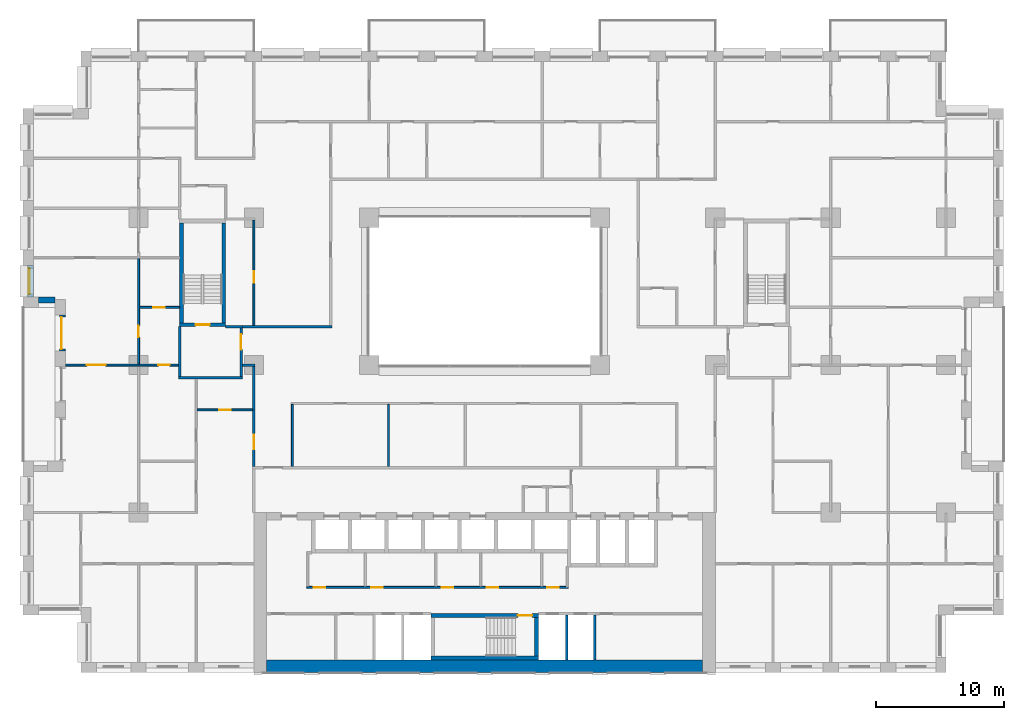
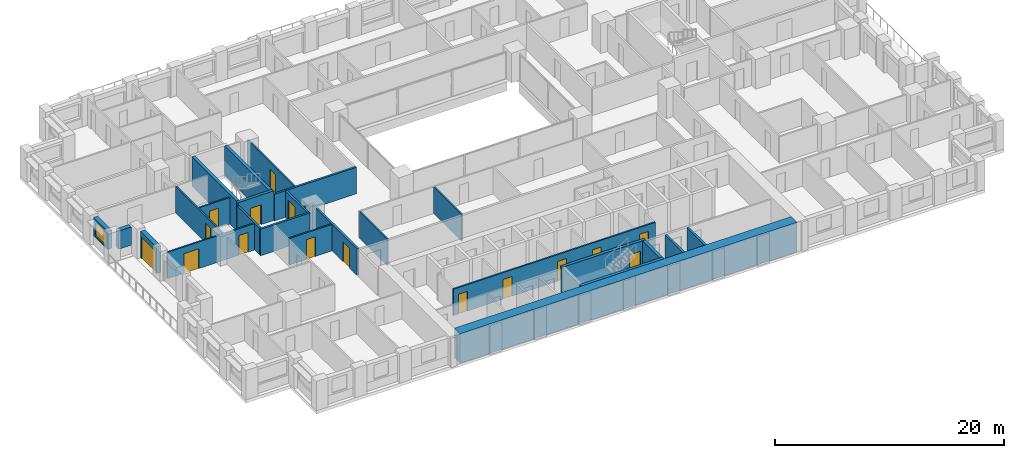
# One storey, part 10 of 19: 27 walls, 16 doors, 1 window, 17 openings.
"""IFC4 building model written with IfcOpenShell, lengths in metres."""

from ifc_helpers import new_model, si_unit, direction, frame, frame_2d, origin, place, context, subcontext, project, spatial, rectangle, extrude, material, layer, layer_set, type_object, element, fill, save


model = new_model("IFC4")

# Units and contexts
model_context = context("Model", 3, precision=1e-05, world=origin(), true_north=direction((0.0, 1.0)))
body_context = subcontext(model_context, "Body", "Model", "MODEL_VIEW")
ifc_project = project(units=[si_unit("LENGTHUNIT", "METRE"), si_unit("AREAUNIT", "SQUARE_METRE"), si_unit("VOLUMEUNIT", "CUBIC_METRE"), si_unit("PLANEANGLEUNIT", "RADIAN"), si_unit("MASSUNIT", "GRAM", prefix="KILO")], contexts=[model_context])

# Site, building, storey
site_placement = place(None, origin())
site = spatial("IfcSite", under=ifc_project, at=site_placement, CompositionType="ELEMENT")
building_placement = place(site_placement, origin())
building = spatial("IfcBuilding", under=site, at=building_placement, Name="Brigalow Station Residences", CompositionType="ELEMENT")
storey_placement = place(building_placement, frame((0.0, 0.0, 28.949951171875)))
storey = spatial("IfcBuildingStorey", under=building, at=storey_placement, Name="L07", CompositionType="ELEMENT", Elevation=28.949951171875)

# Wall, opening, window
ifc_material_1 = material(Name="Clay brick masonry", Category="masonry")
ifc_layer_1 = layer(ifc_material_1, 0.449951171875)
ifc_layer_set_1 = layer_set([ifc_layer_1], Name="BRICK INFILL WALL 450")
wall_type_1 = type_object("IfcWallType", Name="BRICK INFILL WALL 450", PredefinedType="SOLIDWALL", material=ifc_layer_set_1)
wall_1_placement = place(storey_placement, frame((0.574951171875, 31.77490234375, 0.900146484375), z_axis=(0.0, 0.0, 1.0), x_axis=(0.0, -1.0, 0.0)))
wall_1 = element("IfcWall", 1, at=wall_1_placement, inside=storey, type_object=wall_type_1, Name="L07/ewall/W-L07-45", PredefinedType="SOLIDWALL", context=body_context, shape_type="SweptSolid", body=[
    extrude(rectangle(XDim=2.474853515625, YDim=0.449951171875, at=frame_2d((1.2373046875, 0.0))), origin(), (0.0, 0.0, 1.0), 1.929931640625),
])
opening_1_placement = place(wall_1_placement, frame((0.237548828125, 0.0, 0.14990234375)))
opening_1 = element("IfcOpeningElement", 2, at=opening_1_placement, cuts=wall_1, Name="Opening WT-7", PredefinedType="OPENING", context=body_context, shape_type="SweptSolid", body=[
    extrude(rectangle(XDim=2.0, YDim=1.5, at=frame_2d((1.0, 0.75))), frame((0.0, 0.23486328125, 0.0), z_axis=(0.0, -1.0, 0.0), x_axis=(1.0, 0.0, 0.0)), (0.0, 0.0, 1.0), 0.469970703125),
])
ifc_material_2 = material(Name="Anodised aluminium frame with double glazing", Category="aluminium")
window_type = type_object("IfcWindowType", Name="WINDOW 2000x1500", PartitioningType="SINGLE_PANEL", PredefinedType="WINDOW", material=ifc_material_2)
window_placement = place(opening_1_placement, origin())
window = element("IfcWindow", 3, at=window_placement, inside=storey, type_object=window_type, Name="L07/window/W-L07-45", OverallHeight=1.5, OverallWidth=2.0, PartitioningType="SINGLE_PANEL", PredefinedType="WINDOW", context=body_context, shape_type="SweptSolid", body=[
    extrude(rectangle(XDim=2.0, YDim=1.5, at=frame_2d((1.0, 0.75))), frame((0.0, -0.06494140625, 0.0), z_axis=(0.0, -1.0, 0.0), x_axis=(1.0, 0.0, 0.0)), (0.0, 0.0, 1.0), 0.06005859375),
])
fill(opening_1, window)

# Wall
wall_2_placement = place(storey_placement, frame((1.199951171875, 29.074951171875, 0.900146484375), z_axis=(0.0, 0.0, 1.0), x_axis=(1.0, 0.0, 0.0)))
element("IfcWall", 4, at=wall_2_placement, inside=storey, type_object=wall_type_1, Name="L07/ewall/W-L07-46", PredefinedType="SOLIDWALL", context=body_context, shape_type="SweptSolid", body=[
    extrude(rectangle(XDim=1.300048828125, YDim=0.449951171875, at=frame_2d((0.64990234375, 0.0))), origin(), (0.0, 0.0, 1.0), 1.929931640625),
])

# Wall, opening, door
wall_3_placement = place(storey_placement, frame((3.074951171875, 27.89990234375, 0.0), z_axis=(0.0, 0.0, 1.0), x_axis=(0.0, -1.0, 0.0)))
wall_3 = element("IfcWall", 5, at=wall_3_placement, inside=storey, type_object=wall_type_1, Name="L07/ewall/W-L07-47", PredefinedType="SOLIDWALL", context=body_context, shape_type="SweptSolid", body=[
    extrude(rectangle(XDim=2.7998046875, YDim=0.449951171875, at=frame_2d((1.39990234375, 0.0))), origin(), (0.0, 0.0, 1.0), 2.830078125),
])
opening_2_placement = place(wall_3_placement, frame((0.14990234375, 0.0, 0.0)))
opening_2 = element("IfcOpeningElement", 6, at=opening_2_placement, cuts=wall_3, Name="Opening D-B2500", PredefinedType="OPENING", context=body_context, shape_type="SweptSolid", body=[
    extrude(rectangle(XDim=2.5, YDim=2.300048828125, at=frame_2d((1.25, 1.14990234375))), frame((0.0, 0.23486328125, 0.0), z_axis=(0.0, -1.0, 0.0), x_axis=(1.0, 0.0, 0.0)), (0.0, 0.0, 1.0), 0.469970703125),
])
ifc_material_3 = material(Name="Anodised aluminium frame with double glazing", Category="aluminium")
door_type_1 = type_object("IfcDoorType", Name="BALCONY SLIDING DOOR 2500x2300", OperationType="SLIDING_TO_LEFT", PredefinedType="DOOR", material=ifc_material_3)
door_1_placement = place(opening_2_placement, origin())
door_1 = element("IfcDoor", 7, at=door_1_placement, inside=storey, type_object=door_type_1, Name="L07/balcony-door/W-L07-47", OperationType="SLIDING_TO_LEFT", OverallHeight=2.300048828125, OverallWidth=2.5, PredefinedType="DOOR", context=body_context, shape_type="SweptSolid", body=[
    extrude(rectangle(XDim=2.5, YDim=2.300048828125, at=frame_2d((1.25, 1.14990234375))), frame((0.0, -0.06982421875, 0.0), z_axis=(0.0, -1.0, 0.0), x_axis=(1.0, 0.0, 0.0)), (0.0, 0.0, 1.0), 0.050048828125),
])
fill(opening_2, door_1)

# Walls
ifc_material_4 = material(Name="Concrete C80", Category="concrete")
ifc_layer_2 = layer(ifc_material_4, 1.0)
ifc_layer_set_2 = layer_set([ifc_layer_2], Name="CORE SHEAR WALL 1000 C80")
wall_type_2 = type_object("IfcWallType", Name="CORE SHEAR WALL 1000 C80", PredefinedType="SHEAR", material=ifc_layer_set_2)
wall_4_placement = place(storey_placement, frame((19.0, 0.5, 0.0), z_axis=(0.0, 0.0, 1.0), x_axis=(1.0, 0.0, 0.0)))
element("IfcWall", 8, at=wall_4_placement, inside=storey, type_object=wall_type_2, Name="CORE WALL OUT-S L07", PredefinedType="SHEAR", context=body_context, shape_type="SweptSolid", body=[
    extrude(rectangle(XDim=34.0, YDim=1.0, at=frame_2d((17.0, 0.0))), origin(), (0.0, 0.0, 1.0), 3.150146484375),
])
ifc_material_5 = material(Name="Concrete C80", Category="concrete")
ifc_layer_3 = layer(ifc_material_5, 0.300048828125)
ifc_layer_set_3 = layer_set([ifc_layer_3], Name="CORE SHEAR WALL 300 C80")
wall_type_3 = type_object("IfcWallType", Name="CORE SHEAR WALL 300 C80", PredefinedType="SHEAR", material=ifc_layer_set_3)
wall_5_placement = place(storey_placement, frame((31.800048828125, 1.14990234375, 0.0), z_axis=(0.0, 0.0, 1.0), x_axis=(1.0, 0.0, 0.0)))
element("IfcWall", 9, at=wall_5_placement, inside=storey, type_object=wall_type_3, Name="CORE WALL ST-S2-S L07", PredefinedType="SHEAR", context=body_context, shape_type="SweptSolid", body=[
    extrude(rectangle(XDim=8.39990234375, YDim=0.300048828125, at=frame_2d((4.199951171875, 0.0))), origin(), (0.0, 0.0, 1.0), 3.150146484375),
])

# Wall, opening, door
wall_6_placement = place(storey_placement, frame((31.800048828125, 4.449951171875, 0.0), z_axis=(0.0, 0.0, 1.0), x_axis=(1.0, 0.0, 0.0)))
wall_6 = element("IfcWall", 10, at=wall_6_placement, inside=storey, type_object=wall_type_3, Name="CORE WALL ST-S2-N L07", PredefinedType="SHEAR", context=body_context, shape_type="SweptSolid", body=[
    extrude(rectangle(XDim=8.39990234375, YDim=0.300048828125, at=frame_2d((4.199951171875, 0.0))), origin(), (0.0, 0.0, 1.0), 3.150146484375),
])
opening_3_placement = place(wall_6_placement, frame((6.800048828125, 0.0, 0.0)))
opening_3 = element("IfcOpeningElement", 11, at=opening_3_placement, cuts=wall_6, Name="Opening D-5001", PredefinedType="OPENING", context=body_context, shape_type="SweptSolid", body=[
    extrude(rectangle(XDim=1.10009765625, YDim=2.10009765625, at=frame_2d((0.550048828125, 1.050048828125))), frame((0.0, 0.16015625, 0.0), z_axis=(0.0, -1.0, 0.0), x_axis=(1.0, 0.0, 0.0)), (0.0, 0.0, 1.0), 0.320068359375),
])
ifc_material_6 = material(Name="Steel fire door leaf in steel frame", Category="steel")
door_type_2 = type_object("IfcDoorType", Name="STAIR DOOR 1100 x 2100 FD60S", OperationType="SINGLE_SWING_LEFT", PredefinedType="DOOR", material=ifc_material_6)
door_2_placement = place(opening_3_placement, frame((1.10009765625, 0.0, 0.0), z_axis=(0.0, 0.0, 1.0), x_axis=(-1.0, 0.0, 0.0)))
door_2 = element("IfcDoor", 12, at=door_2_placement, inside=storey, type_object=door_type_2, Name="D-5001", OperationType="SINGLE_SWING_LEFT", OverallHeight=2.10009765625, OverallWidth=1.10009765625, PredefinedType="DOOR", context=body_context, shape_type="SweptSolid", body=[
    extrude(rectangle(XDim=1.10009765625, YDim=2.10009765625, at=frame_2d((0.550048828125, 1.050048828125))), frame((0.0, 0.02490234375, 0.0), z_axis=(0.0, -1.0, 0.0), x_axis=(1.0, 0.0, 0.0)), (0.0, 0.0, 1.0), 0.050048828125),
])
fill(opening_3, door_2)

# Wall
wall_7_placement = place(storey_placement, frame((40.050048828125, 1.300048828125, 0.0), z_axis=(0.0, 0.0, 1.0), x_axis=(0.0, 1.0, 0.0)))
element("IfcWall", 13, at=wall_7_placement, inside=storey, type_object=wall_type_3, Name="CORE WALL ST-S2-E L07", PredefinedType="SHEAR", context=body_context, shape_type="SweptSolid", body=[
    extrude(rectangle(XDim=3.0, YDim=0.300048828125, at=frame_2d((1.5, 0.0))), origin(), (0.0, 0.0, 1.0), 3.150146484375),
])

# Wall, opening, door
wall_8_placement = place(storey_placement, frame((12.199951171875, 27.14990234375, 0.0), z_axis=(0.0, 0.0, 1.0), x_axis=(1.0, 0.0, 0.0)))
wall_8 = element("IfcWall", 14, at=wall_8_placement, inside=storey, type_object=wall_type_3, Name="CORE WALL ST-S1-S L07", PredefinedType="SHEAR", context=body_context, shape_type="SweptSolid", body=[
    extrude(rectangle(XDim=3.60009765625, YDim=0.300048828125, at=frame_2d((1.800048828125, 0.0))), origin(), (0.0, 0.0, 1.0), 3.150146484375),
])
opening_4_placement = place(wall_8_placement, frame((1.25, 0.0, 0.0)))
opening_4 = element("IfcOpeningElement", 15, at=opening_4_placement, cuts=wall_8, Name="Opening D-5015", PredefinedType="OPENING", context=body_context, shape_type="SweptSolid", body=[
    extrude(rectangle(XDim=1.10009765625, YDim=2.10009765625, at=frame_2d((0.550048828125, 1.050048828125))), frame((0.0, 0.16015625, 0.0), z_axis=(0.0, -1.0, 0.0), x_axis=(1.0, 0.0, 0.0)), (0.0, 0.0, 1.0), 0.320068359375),
])
door_3_placement = place(opening_4_placement, origin())
door_3 = element("IfcDoor", 16, at=door_3_placement, inside=storey, type_object=door_type_2, Name="D-5015", OperationType="SINGLE_SWING_LEFT", OverallHeight=2.10009765625, OverallWidth=1.10009765625, PredefinedType="DOOR", context=body_context, shape_type="SweptSolid", body=[
    extrude(rectangle(XDim=1.10009765625, YDim=2.10009765625, at=frame_2d((0.550048828125, 1.050048828125))), frame((0.0, 0.02490234375, 0.0), z_axis=(0.0, -1.0, 0.0), x_axis=(1.0, 0.0, 0.0)), (0.0, 0.0, 1.0), 0.050048828125),
])
fill(opening_4, door_3)

# Walls
for number, where, z_axis, x_axis, name in (
    (17, (12.35009765625, 27.300048828125, 0.0), (0.0, 0.0, 1.0), (0.0, 1.0, 0.0), "CORE WALL ST-S1-W L07"),
    (18, (15.64990234375, 27.300048828125, 0.0), (0.0, 0.0, 1.0), (0.0, 1.0, 0.0), "CORE WALL ST-S1-E L07"),
):
    element("IfcWall", number, at=place(storey_placement, frame(where, z_axis=z_axis, x_axis=x_axis)), inside=storey, type_object=wall_type_3, Name=name, PredefinedType="SHEAR", context=body_context, shape_type="SweptSolid", body=[
        extrude(rectangle(XDim=7.800048828125, YDim=0.300048828125, at=frame_2d((3.89990234375, 0.0))), origin(), (0.0, 0.0, 1.0), 3.150146484375),
    ])
ifc_material_7 = material(Name="Concrete blockwork", Category="masonry")
ifc_layer_4 = layer(ifc_material_7, 0.199951171875)
ifc_layer_set_4 = layer_set([ifc_layer_4], Name="FIRE RATED CORE PARTITION 200")
wall_type_4 = type_object("IfcWallType", Name="FIRE RATED CORE PARTITION 200", PredefinedType="PARTITIONING", material=ifc_layer_set_4)
wall_9_placement = place(storey_placement, frame((12.10009765625, 23.0, 0.0), z_axis=(0.0, 0.0, 1.0), x_axis=(1.0, 0.0, 0.0)))
element("IfcWall", 19, at=wall_9_placement, inside=storey, type_object=wall_type_4, Name="PW-5023", PredefinedType="PARTITIONING", context=body_context, shape_type="SweptSolid", body=[
    extrude(rectangle(XDim=5.0, YDim=0.199951171875, at=frame_2d((2.5, 0.0))), origin(), (0.0, 0.0, 1.0), 2.830078125),
])
wall_10_placement = place(storey_placement, frame((15.800048828125, 27.0, 0.0), z_axis=(0.0, 0.0, 1.0), x_axis=(1.0, 0.0, 0.0)))
element("IfcWall", 20, at=wall_10_placement, inside=storey, type_object=wall_type_4, Name="PW-5025", PredefinedType="PARTITIONING", context=body_context, shape_type="SweptSolid", body=[
    extrude(rectangle(XDim=1.300048828125, YDim=0.199951171875, at=frame_2d((0.64990234375, 0.0))), origin(), (0.0, 0.0, 1.0), 2.830078125),
])
for number, where, z_axis, x_axis, name in (
    (21, (42.39990234375, 1.0, 0.0), (0.0, 0.0, 1.0), (0.0, 1.0, 0.0), "PW-5007"),
    (22, (44.60009765625, 1.0, 0.0), (0.0, 0.0, 1.0), (0.0, 1.0, 0.0), "PW-5008"),
):
    element("IfcWall", number, at=place(storey_placement, frame(where, z_axis=z_axis, x_axis=x_axis)), inside=storey, type_object=wall_type_4, Name=name, PredefinedType="PARTITIONING", context=body_context, shape_type="SweptSolid", body=[
        extrude(rectangle(XDim=3.5, YDim=0.199951171875, at=frame_2d((1.75, 0.0))), origin(), (0.0, 0.0, 1.0), 2.830078125),
    ])
wall_11_placement = place(storey_placement, frame((12.199951171875, 23.10009765625, 0.0), z_axis=(0.0, 0.0, 1.0), x_axis=(0.0, 1.0, 0.0)))
element("IfcWall", 23, at=wall_11_placement, inside=storey, type_object=wall_type_4, Name="PW-5034", PredefinedType="PARTITIONING", context=body_context, shape_type="SweptSolid", body=[
    extrude(rectangle(XDim=3.89990234375, YDim=0.199951171875, at=frame_2d((1.949951171875, 0.0))), origin(), (0.0, 0.0, 1.0), 2.830078125),
])

# Wall, opening, door
wall_12_placement = place(storey_placement, frame((17.0, 23.10009765625, 0.0), z_axis=(0.0, 0.0, 1.0), x_axis=(0.0, 1.0, 0.0)))
wall_12 = element("IfcWall", 24, at=wall_12_placement, inside=storey, type_object=wall_type_4, Name="PW-5035", PredefinedType="PARTITIONING", context=body_context, shape_type="SweptSolid", body=[
    extrude(rectangle(XDim=3.7998046875, YDim=0.199951171875, at=frame_2d((1.89990234375, 0.0))), origin(), (0.0, 0.0, 1.0), 2.830078125),
])
opening_5_placement = place(wall_12_placement, frame((2.10009765625, 0.0, 0.0)))
opening_5 = element("IfcOpeningElement", 25, at=opening_5_placement, cuts=wall_12, Name="Opening D-5016", PredefinedType="OPENING", context=body_context, shape_type="SweptSolid", body=[
    extrude(rectangle(XDim=1.199951171875, YDim=2.10009765625, at=frame_2d((0.60009765625, 1.050048828125))), frame((0.0, 0.10986328125, 0.0), z_axis=(0.0, -1.0, 0.0), x_axis=(1.0, 0.0, 0.0)), (0.0, 0.0, 1.0), 0.219970703125),
])
ifc_material_8 = material(Name="Steel fire door leaf in steel frame", Category="steel")
door_type_3 = type_object("IfcDoorType", Name="STAIR LOBBY DOOR 1200 x 2100 FD60S", OperationType="SINGLE_SWING_LEFT", PredefinedType="DOOR", material=ifc_material_8)
door_4_placement = place(opening_5_placement, origin())
door_4 = element("IfcDoor", 26, at=door_4_placement, inside=storey, type_object=door_type_3, Name="D-5016", OperationType="SINGLE_SWING_RIGHT", OverallHeight=2.10009765625, OverallWidth=1.199951171875, PredefinedType="DOOR", context=body_context, shape_type="SweptSolid", body=[
    extrude(rectangle(XDim=1.199951171875, YDim=2.10009765625, at=frame_2d((0.60009765625, 1.050048828125))), frame((0.0, 0.02490234375, 0.0), z_axis=(0.0, -1.0, 0.0), x_axis=(1.0, 0.0, 0.0)), (0.0, 0.0, 1.0), 0.050048828125),
])
fill(opening_5, door_4)

# Wall, openings, doors
ifc_material_9 = material(Name="Plasterboard on steel stud partition", Category="steel")
ifc_layer_5 = layer(ifc_material_9, 0.14990234375)
ifc_layer_set_5 = layer_set([ifc_layer_5], Name="FLAT PARTITION 150")
wall_type_5 = type_object("IfcWallType", Name="FLAT PARTITION 150", PredefinedType="PARTITIONING", material=ifc_layer_set_5)
wall_13_placement = place(storey_placement, frame((3.300048828125, 24.0, 0.0), z_axis=(0.0, 0.0, 1.0), x_axis=(1.0, 0.0, 0.0)))
wall_13 = element("IfcWall", 27, at=wall_13_placement, inside=storey, type_object=wall_type_5, Name="PW-1B02", PredefinedType="PARTITIONING", context=body_context, shape_type="SweptSolid", body=[
    extrude(rectangle(XDim=8.800048828125, YDim=0.14990234375, at=frame_2d((4.39990234375, 0.0))), origin(), (0.0, 0.0, 1.0), 2.830078125),
])
opening_6_placement = place(wall_13_placement, frame((1.64990234375, 0.0, 0.0)))
opening_6 = element("IfcOpeningElement", 28, at=opening_6_placement, cuts=wall_13, Name="Opening D-1B07", PredefinedType="OPENING", context=body_context, shape_type="SweptSolid", body=[
    extrude(rectangle(XDim=1.5, YDim=2.10009765625, at=frame_2d((0.75, 1.050048828125))), frame((0.0, 0.0849609375, 0.0), z_axis=(0.0, -1.0, 0.0), x_axis=(1.0, 0.0, 0.0)), (0.0, 0.0, 1.0), 0.169921875),
])
opening_7_placement = place(wall_13_placement, frame((7.22509765625, 0.0, 0.0)))
opening_7 = element("IfcOpeningElement", 29, at=opening_7_placement, cuts=wall_13, Name="Opening D-1B14", PredefinedType="OPENING", context=body_context, shape_type="SweptSolid", body=[
    extrude(rectangle(XDim=0.89990234375, YDim=2.10009765625, at=frame_2d((0.449951171875, 1.050048828125))), frame((0.0, 0.0849609375, 0.0), z_axis=(0.0, -1.0, 0.0), x_axis=(1.0, 0.0, 0.0)), (0.0, 0.0, 1.0), 0.169921875),
])
ifc_material_10 = material(Name="Solid-core timber door leaf", Category="wood")
door_type_4 = type_object("IfcDoorType", Name="INTERNAL DOOR 900 x 2100", OperationType="SINGLE_SWING_LEFT", PredefinedType="DOOR", material=ifc_material_10)
door_5_placement = place(opening_7_placement, origin())
door_5 = element("IfcDoor", 30, at=door_5_placement, inside=storey, type_object=door_type_4, Name="D-1B14", OperationType="SINGLE_SWING_RIGHT", OverallHeight=2.10009765625, OverallWidth=0.89990234375, PredefinedType="DOOR", context=body_context, shape_type="SweptSolid", body=[
    extrude(rectangle(XDim=0.89990234375, YDim=2.10009765625, at=frame_2d((0.449951171875, 1.050048828125))), frame((0.0, 0.02490234375, 0.0), z_axis=(0.0, -1.0, 0.0), x_axis=(1.0, 0.0, 0.0)), (0.0, 0.0, 1.0), 0.050048828125),
])
fill(opening_7, door_5)
ifc_material_11 = material(Name="Solid-core timber door leaf", Category="wood")
door_type_5 = type_object("IfcDoorType", Name="INTERNAL DOUBLE DOOR 1500 x 2100", OperationType="DOUBLE_DOOR_SINGLE_SWING", PredefinedType="DOOR", material=ifc_material_11)
door_6_placement = place(opening_6_placement, origin())
door_6 = element("IfcDoor", 31, at=door_6_placement, inside=storey, type_object=door_type_5, Name="D-1B07", OperationType="DOUBLE_DOOR_SINGLE_SWING", OverallHeight=2.10009765625, OverallWidth=1.5, PredefinedType="DOOR", context=body_context, shape_type="SweptSolid", body=[
    extrude(rectangle(XDim=1.5, YDim=2.10009765625, at=frame_2d((0.75, 1.050048828125))), frame((0.0, 0.02490234375, 0.0), z_axis=(0.0, -1.0, 0.0), x_axis=(1.0, 0.0, 0.0)), (0.0, 0.0, 1.0), 0.050048828125),
])
fill(opening_6, door_6)

# Wall, opening, door
wall_14_placement = place(storey_placement, frame((13.574951171875, 20.5, 0.0), z_axis=(0.0, 0.0, 1.0), x_axis=(1.0, 0.0, 0.0)))
wall_14 = element("IfcWall", 32, at=wall_14_placement, inside=storey, type_object=wall_type_5, Name="PW-1B14", PredefinedType="PARTITIONING", context=body_context, shape_type="SweptSolid", body=[
    extrude(rectangle(XDim=4.324951171875, YDim=0.14990234375, at=frame_2d((2.16259765625, 0.0))), origin(), (0.0, 0.0, 1.0), 2.830078125),
])
opening_8_placement = place(wall_14_placement, frame((1.72509765625, 0.0, 0.0)))
opening_8 = element("IfcOpeningElement", 33, at=opening_8_placement, cuts=wall_14, Name="Opening D-1B13", PredefinedType="OPENING", context=body_context, shape_type="SweptSolid", body=[
    extrude(rectangle(XDim=0.89990234375, YDim=2.10009765625, at=frame_2d((0.449951171875, 1.050048828125))), frame((0.0, 0.0849609375, 0.0), z_axis=(0.0, -1.0, 0.0), x_axis=(1.0, 0.0, 0.0)), (0.0, 0.0, 1.0), 0.169921875),
])
door_7_placement = place(opening_8_placement, origin())
door_7 = element("IfcDoor", 34, at=door_7_placement, inside=storey, type_object=door_type_4, Name="D-1B13", OperationType="SINGLE_SWING_RIGHT", OverallHeight=2.10009765625, OverallWidth=0.89990234375, PredefinedType="DOOR", context=body_context, shape_type="SweptSolid", body=[
    extrude(rectangle(XDim=0.89990234375, YDim=2.10009765625, at=frame_2d((0.449951171875, 1.050048828125))), frame((0.0, 0.02490234375, 0.0), z_axis=(0.0, -1.0, 0.0), x_axis=(1.0, 0.0, 0.0)), (0.0, 0.0, 1.0), 0.050048828125),
])
fill(opening_8, door_7)

wall_15_placement = place(storey_placement, frame((9.074951171875, 28.5, 0.0), z_axis=(0.0, 0.0, 1.0), x_axis=(1.0, 0.0, 0.0)))
wall_15 = element("IfcWall", 35, at=wall_15_placement, inside=storey, type_object=wall_type_5, Name="PW-1B19", PredefinedType="PARTITIONING", context=body_context, shape_type="SweptSolid", body=[
    extrude(rectangle(XDim=3.125, YDim=0.14990234375, at=frame_2d((1.5625, 0.0))), origin(), (0.0, 0.0, 1.0), 2.830078125),
])
opening_9_placement = place(wall_15_placement, frame((1.074951171875, 0.0, 0.0)))
opening_9 = element("IfcOpeningElement", 36, at=opening_9_placement, cuts=wall_15, Name="Opening D-1B15", PredefinedType="OPENING", context=body_context, shape_type="SweptSolid", body=[
    extrude(rectangle(XDim=0.89990234375, YDim=2.10009765625, at=frame_2d((0.449951171875, 1.050048828125))), frame((0.0, 0.0849609375, 0.0), z_axis=(0.0, -1.0, 0.0), x_axis=(1.0, 0.0, 0.0)), (0.0, 0.0, 1.0), 0.169921875),
])
door_8_placement = place(opening_9_placement, origin())
door_8 = element("IfcDoor", 37, at=door_8_placement, inside=storey, type_object=door_type_4, Name="D-1B15", OperationType="SINGLE_SWING_LEFT", OverallHeight=2.10009765625, OverallWidth=0.89990234375, PredefinedType="DOOR", context=body_context, shape_type="SweptSolid", body=[
    extrude(rectangle(XDim=0.89990234375, YDim=2.10009765625, at=frame_2d((0.449951171875, 1.050048828125))), frame((0.0, 0.02490234375, 0.0), z_axis=(0.0, -1.0, 0.0), x_axis=(1.0, 0.0, 0.0)), (0.0, 0.0, 1.0), 0.050048828125),
])
fill(opening_9, door_8)

wall_16_placement = place(storey_placement, frame((18.0, 27.10009765625, 0.0), z_axis=(0.0, 0.0, 1.0), x_axis=(0.0, 1.0, 0.0)))
wall_16 = element("IfcWall", 38, at=wall_16_placement, inside=storey, type_object=wall_type_5, Name="PW-1B37", PredefinedType="PARTITIONING", context=body_context, shape_type="SweptSolid", body=[
    extrude(rectangle(XDim=8.224853515625, YDim=0.14990234375, at=frame_2d((4.1123046875, 0.0))), origin(), (0.0, 0.0, 1.0), 2.830078125),
])
opening_10_placement = place(wall_16_placement, frame((3.324951171875, 0.0, 0.0)))
opening_10 = element("IfcOpeningElement", 39, at=opening_10_placement, cuts=wall_16, Name="Opening D-1B29", PredefinedType="OPENING", context=body_context, shape_type="SweptSolid", body=[
    extrude(rectangle(XDim=0.89990234375, YDim=2.10009765625, at=frame_2d((0.449951171875, 1.050048828125))), frame((0.0, 0.0849609375, 0.0), z_axis=(0.0, -1.0, 0.0), x_axis=(1.0, 0.0, 0.0)), (0.0, 0.0, 1.0), 0.169921875),
])
door_9_placement = place(opening_10_placement, origin())
door_9 = element("IfcDoor", 40, at=door_9_placement, inside=storey, type_object=door_type_4, Name="D-1B29", OperationType="SINGLE_SWING_LEFT", OverallHeight=2.10009765625, OverallWidth=0.89990234375, PredefinedType="DOOR", context=body_context, shape_type="SweptSolid", body=[
    extrude(rectangle(XDim=0.89990234375, YDim=2.10009765625, at=frame_2d((0.449951171875, 1.050048828125))), frame((0.0, 0.02490234375, 0.0), z_axis=(0.0, -1.0, 0.0), x_axis=(1.0, 0.0, 0.0)), (0.0, 0.0, 1.0), 0.050048828125),
])
fill(opening_10, door_9)

# Wall
wall_17_placement = place(storey_placement, frame((21.0, 16.10009765625, 0.0), z_axis=(0.0, 0.0, 1.0), x_axis=(0.0, 1.0, 0.0)))
element("IfcWall", 41, at=wall_17_placement, inside=storey, type_object=wall_type_5, Name="PW-1B43", PredefinedType="PARTITIONING", context=body_context, shape_type="SweptSolid", body=[
    extrude(rectangle(XDim=4.824951171875, YDim=0.14990234375, at=frame_2d((2.41259765625, 0.0))), origin(), (0.0, 0.0, 1.0), 2.830078125),
])

# Wall, opening, door
wall_18_placement = place(storey_placement, frame((9.0, 24.074951171875, 0.0), z_axis=(0.0, 0.0, 1.0), x_axis=(0.0, 1.0, 0.0)))
wall_18 = element("IfcWall", 42, at=wall_18_placement, inside=storey, type_object=wall_type_5, Name="PW-1B52", PredefinedType="PARTITIONING", context=body_context, shape_type="SweptSolid", body=[
    extrude(rectangle(XDim=8.22509765625, YDim=0.14990234375, at=frame_2d((4.112548828125, 0.0))), origin(), (0.0, 0.0, 1.0), 2.830078125),
])
opening_11_placement = place(wall_18_placement, frame((2.10009765625, 0.0, 0.0)))
opening_11 = element("IfcOpeningElement", 43, at=opening_11_placement, cuts=wall_18, Name="Opening D-1B08", PredefinedType="OPENING", context=body_context, shape_type="SweptSolid", body=[
    extrude(rectangle(XDim=0.89990234375, YDim=2.10009765625, at=frame_2d((0.449951171875, 1.050048828125))), frame((0.0, 0.0849609375, 0.0), z_axis=(0.0, -1.0, 0.0), x_axis=(1.0, 0.0, 0.0)), (0.0, 0.0, 1.0), 0.169921875),
])
door_10_placement = place(opening_11_placement, frame((0.89990234375, 0.0, 0.0), z_axis=(0.0, 0.0, 1.0), x_axis=(-1.0, 0.0, 0.0)))
door_10 = element("IfcDoor", 44, at=door_10_placement, inside=storey, type_object=door_type_4, Name="D-1B08", OperationType="SINGLE_SWING_LEFT", OverallHeight=2.10009765625, OverallWidth=0.89990234375, PredefinedType="DOOR", context=body_context, shape_type="SweptSolid", body=[
    extrude(rectangle(XDim=0.89990234375, YDim=2.10009765625, at=frame_2d((0.449951171875, 1.050048828125))), frame((0.0, 0.02490234375, 0.0), z_axis=(0.0, -1.0, 0.0), x_axis=(1.0, 0.0, 0.0)), (0.0, 0.0, 1.0), 0.050048828125),
])
fill(opening_11, door_10)

# Walls
wall_19_placement = place(storey_placement, frame((28.5, 16.10009765625, 0.0), z_axis=(0.0, 0.0, 1.0), x_axis=(0.0, 1.0, 0.0)))
element("IfcWall", 45, at=wall_19_placement, inside=storey, type_object=wall_type_5, Name="PW-1B63", PredefinedType="PARTITIONING", context=body_context, shape_type="SweptSolid", body=[
    extrude(rectangle(XDim=4.824951171875, YDim=0.14990234375, at=frame_2d((2.41259765625, 0.0))), origin(), (0.0, 0.0, 1.0), 2.830078125),
])
ifc_material_12 = material(Name="Plasterboard on steel stud partition", Category="steel")
ifc_layer_6 = layer(ifc_material_12, 0.199951171875)
ifc_layer_set_6 = layer_set([ifc_layer_6], Name="PARTY AND CORRIDOR WALL 200")
wall_type_6 = type_object("IfcWallType", Name="PARTY AND CORRIDOR WALL 200", PredefinedType="PARTITIONING", material=ifc_layer_set_6)
wall_20_placement = place(storey_placement, frame((17.10009765625, 24.0, 0.0), z_axis=(0.0, 0.0, 1.0), x_axis=(1.0, 0.0, 0.0)))
element("IfcWall", 46, at=wall_20_placement, inside=storey, type_object=wall_type_6, Name="PW-1B04", PredefinedType="PARTITIONING", context=body_context, shape_type="SweptSolid", body=[
    extrude(rectangle(XDim=1.0, YDim=0.199951171875, at=frame_2d((0.5, 0.0))), origin(), (0.0, 0.0, 1.0), 2.830078125),
])
wall_21_placement = place(storey_placement, frame((17.10009765625, 27.0, 0.0), z_axis=(0.0, 0.0, 1.0), x_axis=(1.0, 0.0, 0.0)))
element("IfcWall", 47, at=wall_21_placement, inside=storey, type_object=wall_type_6, Name="PW-1B06", PredefinedType="PARTITIONING", context=body_context, shape_type="SweptSolid", body=[
    extrude(rectangle(XDim=7.0, YDim=0.199951171875, at=frame_2d((3.5, 0.0))), origin(), (0.0, 0.0, 1.0), 2.830078125),
])

# Wall, opening, door
wall_22_placement = place(storey_placement, frame((18.0, 16.10009765625, 0.0), z_axis=(0.0, 0.0, 1.0), x_axis=(0.0, 1.0, 0.0)))
wall_22 = element("IfcWall", 48, at=wall_22_placement, inside=storey, type_object=wall_type_6, Name="PW-1B39", PredefinedType="PARTITIONING", context=body_context, shape_type="SweptSolid", body=[
    extrude(rectangle(XDim=7.7998046875, YDim=0.199951171875, at=frame_2d((3.89990234375, 0.0))), origin(), (0.0, 0.0, 1.0), 2.830078125),
])
opening_12_placement = place(wall_22_placement, frame((1.35009765625, 0.0, 0.0)))
opening_12 = element("IfcOpeningElement", 49, at=opening_12_placement, cuts=wall_22, Name="Opening D-1B17", PredefinedType="OPENING", context=body_context, shape_type="SweptSolid", body=[
    extrude(rectangle(XDim=1.10009765625, YDim=2.10009765625, at=frame_2d((0.550048828125, 1.050048828125))), frame((0.0, 0.10986328125, 0.0), z_axis=(0.0, -1.0, 0.0), x_axis=(1.0, 0.0, 0.0)), (0.0, 0.0, 1.0), 0.219970703125),
])
ifc_material_13 = material(Name="Solid-core timber door leaf", Category="wood")
door_type_6 = type_object("IfcDoorType", Name="FLAT ENTRANCE DOOR 1100 x 2100 FRL -/60/30", OperationType="SINGLE_SWING_LEFT", PredefinedType="DOOR", material=ifc_material_13)
door_11_placement = place(opening_12_placement, origin())
door_11 = element("IfcDoor", 50, at=door_11_placement, inside=storey, type_object=door_type_6, Name="D-1B17", OperationType="SINGLE_SWING_RIGHT", OverallHeight=2.10009765625, OverallWidth=1.10009765625, PredefinedType="DOOR", context=body_context, shape_type="SweptSolid", body=[
    extrude(rectangle(XDim=1.10009765625, YDim=2.10009765625, at=frame_2d((0.550048828125, 1.050048828125))), frame((0.0, 0.02490234375, 0.0), z_axis=(0.0, -1.0, 0.0), x_axis=(1.0, 0.0, 0.0)), (0.0, 0.0, 1.0), 0.050048828125),
])
fill(opening_12, door_11)

# Wall, openings, doors
ifc_material_14 = material(Name="Plasterboard on steel studs", Category="steel")
ifc_layer_7 = layer(ifc_material_14, 0.14990234375)
ifc_layer_set_7 = layer_set([ifc_layer_7], Name="SERVICE ROOM PARTITION 150")
wall_type_7 = type_object("IfcWallType", Name="SERVICE ROOM PARTITION 150", PredefinedType="PARTITIONING", material=ifc_layer_set_7)
wall_23_placement = place(storey_placement, frame((22.125, 6.64990234375, 0.0), z_axis=(0.0, 0.0, 1.0), x_axis=(1.0, 0.0, 0.0)))
wall_23 = element("IfcWall", 51, at=wall_23_placement, inside=storey, type_object=wall_type_7, Name="PW-5021", PredefinedType="PARTITIONING", context=body_context, shape_type="SweptSolid", body=[
    extrude(rectangle(XDim=20.39990234375, YDim=0.14990234375, at=frame_2d((10.199951171875, 0.0))), origin(), (0.0, 0.0, 1.0), 2.830078125),
])
opening_13_placement = place(wall_23_placement, frame((0.52490234375, 0.0, 0.0)))
opening_13 = element("IfcOpeningElement", 52, at=opening_13_placement, cuts=wall_23, Name="Opening D-5021", PredefinedType="OPENING", context=body_context, shape_type="SweptSolid", body=[
    extrude(rectangle(XDim=0.89990234375, YDim=2.10009765625, at=frame_2d((0.449951171875, 1.050048828125))), frame((0.0, 0.0849609375, 0.0), z_axis=(0.0, -1.0, 0.0), x_axis=(1.0, 0.0, 0.0)), (0.0, 0.0, 1.0), 0.169921875),
])
opening_14_placement = place(wall_23_placement, frame((5.02490234375, 0.0, 0.0)))
opening_14 = element("IfcOpeningElement", 53, at=opening_14_placement, cuts=wall_23, Name="Opening D-5031", PredefinedType="OPENING", context=body_context, shape_type="SweptSolid", body=[
    extrude(rectangle(XDim=0.89990234375, YDim=2.10009765625, at=frame_2d((0.449951171875, 1.050048828125))), frame((0.0, 0.0849609375, 0.0), z_axis=(0.0, -1.0, 0.0), x_axis=(1.0, 0.0, 0.0)), (0.0, 0.0, 1.0), 0.169921875),
])
opening_15_placement = place(wall_23_placement, frame((10.52490234375, 0.0, 0.0)))
opening_15 = element("IfcOpeningElement", 54, at=opening_15_placement, cuts=wall_23, Name="Opening D-5032", PredefinedType="OPENING", context=body_context, shape_type="SweptSolid", body=[
    extrude(rectangle(XDim=0.89990234375, YDim=2.10009765625, at=frame_2d((0.449951171875, 1.050048828125))), frame((0.0, 0.0849609375, 0.0), z_axis=(0.0, -1.0, 0.0), x_axis=(1.0, 0.0, 0.0)), (0.0, 0.0, 1.0), 0.169921875),
])
opening_16_placement = place(wall_23_placement, frame((14.02490234375, 0.0, 0.0)))
opening_16 = element("IfcOpeningElement", 55, at=opening_16_placement, cuts=wall_23, Name="Opening D-5033", PredefinedType="OPENING", context=body_context, shape_type="SweptSolid", body=[
    extrude(rectangle(XDim=0.89990234375, YDim=2.10009765625, at=frame_2d((0.449951171875, 1.050048828125))), frame((0.0, 0.0849609375, 0.0), z_axis=(0.0, -1.0, 0.0), x_axis=(1.0, 0.0, 0.0)), (0.0, 0.0, 1.0), 0.169921875),
])
opening_17_placement = place(wall_23_placement, frame((18.77490234375, 0.0, 0.0)))
opening_17 = element("IfcOpeningElement", 56, at=opening_17_placement, cuts=wall_23, Name="Opening D-5034", PredefinedType="OPENING", context=body_context, shape_type="SweptSolid", body=[
    extrude(rectangle(XDim=0.89990234375, YDim=2.10009765625, at=frame_2d((0.449951171875, 1.050048828125))), frame((0.0, 0.0849609375, 0.0), z_axis=(0.0, -1.0, 0.0), x_axis=(1.0, 0.0, 0.0)), (0.0, 0.0, 1.0), 0.169921875),
])
ifc_material_15 = material(Name="Steel door leaf in steel frame", Category="steel")
door_type_7 = type_object("IfcDoorType", Name="SERVICE ROOM DOOR 900 x 2100 FD60", OperationType="SINGLE_SWING_LEFT", PredefinedType="DOOR", material=ifc_material_15)
door_12_placement = place(opening_13_placement, origin())
door_12 = element("IfcDoor", 57, at=door_12_placement, inside=storey, type_object=door_type_7, Name="D-5021", OperationType="SINGLE_SWING_LEFT", OverallHeight=2.10009765625, OverallWidth=0.89990234375, PredefinedType="DOOR", context=body_context, shape_type="SweptSolid", body=[
    extrude(rectangle(XDim=0.89990234375, YDim=2.10009765625, at=frame_2d((0.449951171875, 1.050048828125))), frame((0.0, 0.02490234375, 0.0), z_axis=(0.0, -1.0, 0.0), x_axis=(1.0, 0.0, 0.0)), (0.0, 0.0, 1.0), 0.050048828125),
])
fill(opening_13, door_12)
door_13_placement = place(opening_14_placement, origin())
door_13 = element("IfcDoor", 58, at=door_13_placement, inside=storey, type_object=door_type_7, Name="D-5031", OperationType="SINGLE_SWING_LEFT", OverallHeight=2.10009765625, OverallWidth=0.89990234375, PredefinedType="DOOR", context=body_context, shape_type="SweptSolid", body=[
    extrude(rectangle(XDim=0.89990234375, YDim=2.10009765625, at=frame_2d((0.449951171875, 1.050048828125))), frame((0.0, 0.02490234375, 0.0), z_axis=(0.0, -1.0, 0.0), x_axis=(1.0, 0.0, 0.0)), (0.0, 0.0, 1.0), 0.050048828125),
])
fill(opening_14, door_13)
door_14_placement = place(opening_15_placement, origin())
door_14 = element("IfcDoor", 59, at=door_14_placement, inside=storey, type_object=door_type_7, Name="D-5032", OperationType="SINGLE_SWING_LEFT", OverallHeight=2.10009765625, OverallWidth=0.89990234375, PredefinedType="DOOR", context=body_context, shape_type="SweptSolid", body=[
    extrude(rectangle(XDim=0.89990234375, YDim=2.10009765625, at=frame_2d((0.449951171875, 1.050048828125))), frame((0.0, 0.02490234375, 0.0), z_axis=(0.0, -1.0, 0.0), x_axis=(1.0, 0.0, 0.0)), (0.0, 0.0, 1.0), 0.050048828125),
])
fill(opening_15, door_14)
door_15_placement = place(opening_16_placement, origin())
door_15 = element("IfcDoor", 60, at=door_15_placement, inside=storey, type_object=door_type_7, Name="D-5033", OperationType="SINGLE_SWING_LEFT", OverallHeight=2.10009765625, OverallWidth=0.89990234375, PredefinedType="DOOR", context=body_context, shape_type="SweptSolid", body=[
    extrude(rectangle(XDim=0.89990234375, YDim=2.10009765625, at=frame_2d((0.449951171875, 1.050048828125))), frame((0.0, 0.02490234375, 0.0), z_axis=(0.0, -1.0, 0.0), x_axis=(1.0, 0.0, 0.0)), (0.0, 0.0, 1.0), 0.050048828125),
])
fill(opening_16, door_15)
door_16_placement = place(opening_17_placement, origin())
door_16 = element("IfcDoor", 61, at=door_16_placement, inside=storey, type_object=door_type_7, Name="D-5034", OperationType="SINGLE_SWING_LEFT", OverallHeight=2.10009765625, OverallWidth=0.89990234375, PredefinedType="DOOR", context=body_context, shape_type="SweptSolid", body=[
    extrude(rectangle(XDim=0.89990234375, YDim=2.10009765625, at=frame_2d((0.449951171875, 1.050048828125))), frame((0.0, 0.02490234375, 0.0), z_axis=(0.0, -1.0, 0.0), x_axis=(1.0, 0.0, 0.0)), (0.0, 0.0, 1.0), 0.050048828125),
])
fill(opening_17, door_16)

save(model, "model.ifc")
